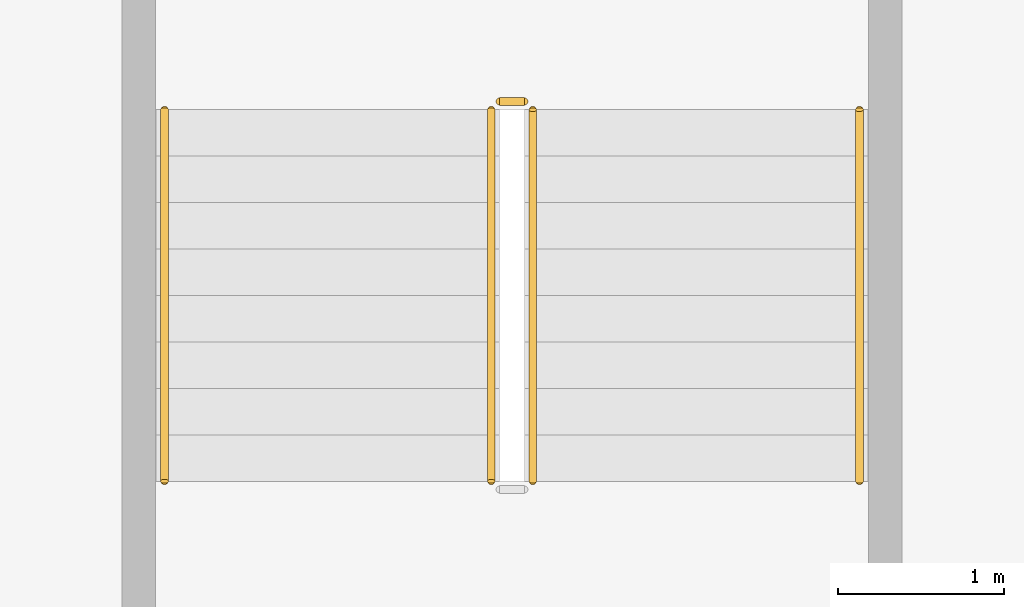
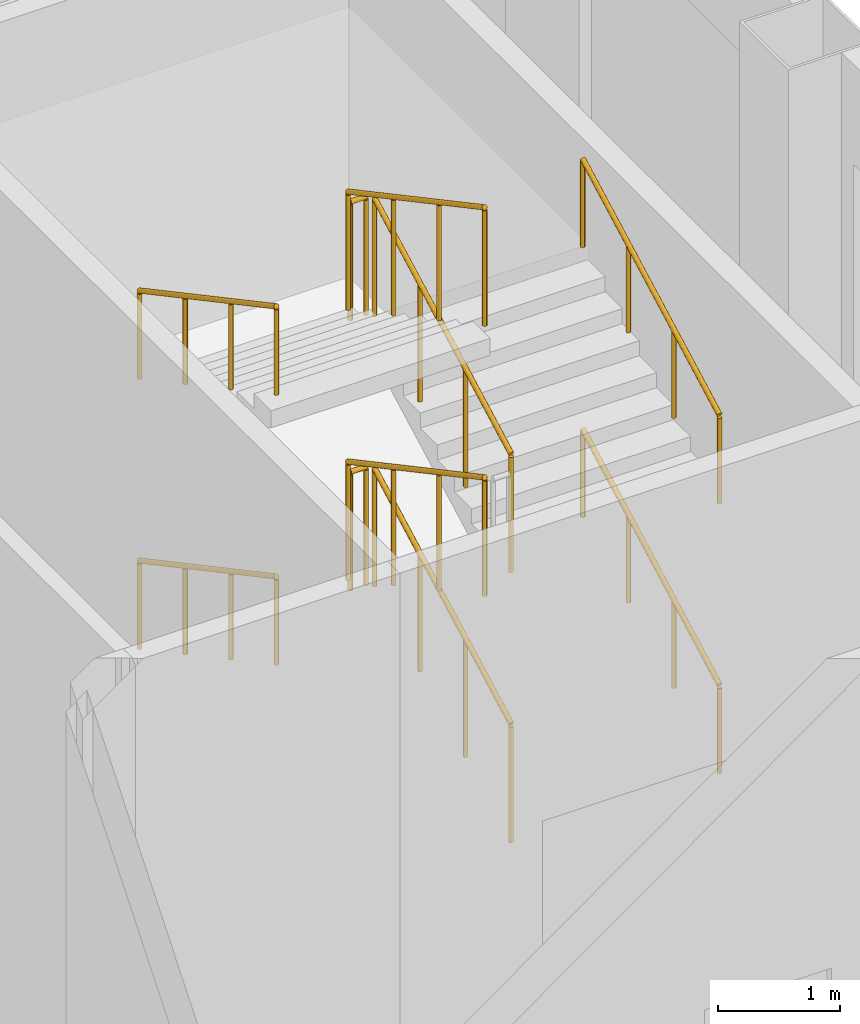
# One storey, part 27 of 27: 10 railings.
"""IFC4 building model written with IfcOpenShell, lengths in metres."""

from ifc_helpers import new_model, si_unit, direction, frame, origin, origin_2d, place, context, subcontext, project, spatial, circle, extrude, material, type_object, element, save


model = new_model("IFC4")

# Units and contexts
model_context = context("Model", 3, precision=1e-05, world=origin(), true_north=direction((0.0, 1.0)))
body_context = subcontext(model_context, "Body", "Model", "MODEL_VIEW")
ifc_project = project(units=[si_unit("LENGTHUNIT", "METRE"), si_unit("AREAUNIT", "SQUARE_METRE"), si_unit("VOLUMEUNIT", "CUBIC_METRE"), si_unit("PLANEANGLEUNIT", "RADIAN"), si_unit("MASSUNIT", "GRAM", prefix="KILO")], contexts=[model_context])

# Site, building, storey
site_placement = place(None, origin())
site = spatial("IfcSite", under=ifc_project, at=site_placement, CompositionType="ELEMENT")
building_placement = place(site_placement, origin())
building = spatial("IfcBuilding", under=site, at=building_placement, Name="Caravel Reach Hotel and Residences", CompositionType="ELEMENT")
storey_placement = place(building_placement, frame((0.0, 0.0, 6.60009765625)))
storey = spatial("IfcBuildingStorey", under=building, at=storey_placement, Name="L01", CompositionType="ELEMENT", Elevation=6.60009765625)

# Railings
ifc_material_1 = material(Name="Steel balustrade with glass infill", Category="steel")
railing_type_1 = type_object("IfcRailingType", Name="Guard 1200", PredefinedType="GUARDRAIL", material=ifc_material_1)
railing_1_placement = place(storey_placement, frame((63.375, 42.68994140625, 0.14990234375)))
element("IfcRailing", 1, at=railing_1_placement, inside=storey, type_object=railing_type_1, Name="L01 ST-P6 stair guard 1", PredefinedType="GUARDRAIL", context=body_context, shape_type="SweptSolid", body=[
    extrude(circle(Radius=0.02392578125, at=origin_2d()), frame((0.0, 0.0, 1.17578125), z_axis=(0.0, 0.881487111273, 0.472208081951), x_axis=(-1.0, 0.0, 0.0)), (0.0, 0.0, 1.0), 2.541259765625),
    extrude(circle(Radius=0.02099609375, at=origin_2d()), origin(), (0.0, 0.0, 1.0), 1.15185546875),
    extrude(circle(Radius=0.02099609375, at=origin_2d()), frame((0.0, 0.74658203125, 0.39990234375)), (0.0, 0.0, 1.0), 1.15185546875),
    extrude(circle(Radius=0.02099609375, at=origin_2d()), frame((0.0, 1.493408203125, 0.800048828125)), (0.0, 0.0, 1.0), 1.15185546875),
    extrude(circle(Radius=0.02099609375, at=origin_2d()), frame((0.0, 2.239990234375, 1.199951171875)), (0.0, 0.0, 1.0), 1.15185546875),
])
railing_2_placement = place(storey_placement, frame((63.324951171875, 44.97998046875, 1.349853515625)))
element("IfcRailing", 2, at=railing_2_placement, inside=storey, type_object=railing_type_1, Name="L01 ST-P6 stair guard 2", PredefinedType="GUARDRAIL", context=body_context, shape_type="SweptSolid", body=[
    extrude(circle(Radius=0.02392578125, at=origin_2d()), frame((0.0, 0.0, 1.17578125), z_axis=(-1.0, 0.0, 0.0), x_axis=(0.0, -1.0, 0.0)), (0.0, 0.0, 1.0), 0.14990234375),
    extrude(circle(Radius=0.02099609375, at=origin_2d()), origin(), (0.0, 0.0, 1.0), 1.15185546875),
    extrude(circle(Radius=0.02099609375, at=origin_2d()), frame((-0.14990234375, 0.0, 0.0)), (0.0, 0.0, 1.0), 1.15185546875),
])
railing_3_placement = place(storey_placement, frame((63.125, 44.929931640625, 1.5)))
element("IfcRailing", 3, at=railing_3_placement, inside=storey, type_object=railing_type_1, Name="L01 ST-P6 stair guard 3", PredefinedType="GUARDRAIL", context=body_context, shape_type="SweptSolid", body=[
    extrude(circle(Radius=0.02392578125, at=origin_2d()), frame((0.0, 0.0, 1.17578125), z_axis=(0.0, -0.881487111273, 0.472208081951), x_axis=(1.0, 0.0, 0.0)), (0.0, 0.0, 1.0), 2.541259765625),
    extrude(circle(Radius=0.02099609375, at=origin_2d()), origin(), (0.0, 0.0, 1.0), 1.15185546875),
    extrude(circle(Radius=0.02099609375, at=origin_2d()), frame((0.0, -0.74658203125, 0.39990234375)), (0.0, 0.0, 1.0), 1.15185546875),
    extrude(circle(Radius=0.02099609375, at=origin_2d()), frame((0.0, -1.493408203125, 0.800048828125)), (0.0, 0.0, 1.0), 1.15185546875),
    extrude(circle(Radius=0.02099609375, at=origin_2d()), frame((0.0, -2.239990234375, 1.199951171875)), (0.0, 0.0, 1.0), 1.15185546875),
])
railing_4_placement = place(storey_placement, frame((63.375, 42.68994140625, 2.849853515625)))
element("IfcRailing", 4, at=railing_4_placement, inside=storey, type_object=railing_type_1, Name="L01 ST-P6 stair guard 5", PredefinedType="GUARDRAIL", context=body_context, shape_type="SweptSolid", body=[
    extrude(circle(Radius=0.02392578125, at=origin_2d()), frame((0.0, 0.0, 1.17578125), z_axis=(0.0, 0.881487111273, 0.472208081951), x_axis=(-1.0, 0.0, 0.0)), (0.0, 0.0, 1.0), 2.541259765625),
    extrude(circle(Radius=0.02099609375, at=origin_2d()), origin(), (0.0, 0.0, 1.0), 1.15185546875),
    extrude(circle(Radius=0.02099609375, at=origin_2d()), frame((0.0, 0.74658203125, 0.39990234375)), (0.0, 0.0, 1.0), 1.15185546875),
    extrude(circle(Radius=0.02099609375, at=origin_2d()), frame((0.0, 1.493408203125, 0.800048828125)), (0.0, 0.0, 1.0), 1.15185546875),
    extrude(circle(Radius=0.02099609375, at=origin_2d()), frame((0.0, 2.239990234375, 1.199951171875)), (0.0, 0.0, 1.0), 1.15185546875),
])
railing_5_placement = place(storey_placement, frame((63.324951171875, 44.97998046875, 4.0498046875)))
element("IfcRailing", 5, at=railing_5_placement, inside=storey, type_object=railing_type_1, Name="L01 ST-P6 stair guard 6", PredefinedType="GUARDRAIL", context=body_context, shape_type="SweptSolid", body=[
    extrude(circle(Radius=0.02392578125, at=origin_2d()), frame((0.0, 0.0, 1.17578125), z_axis=(-1.0, 0.0, 0.0), x_axis=(0.0, -1.0, 0.0)), (0.0, 0.0, 1.0), 0.14990234375),
    extrude(circle(Radius=0.02099609375, at=origin_2d()), origin(), (0.0, 0.0, 1.0), 1.15185546875),
    extrude(circle(Radius=0.02099609375, at=origin_2d()), frame((-0.14990234375, 0.0, 0.0)), (0.0, 0.0, 1.0), 1.15185546875),
])
railing_6_placement = place(storey_placement, frame((63.125, 44.929931640625, 4.199951171875)))
element("IfcRailing", 6, at=railing_6_placement, inside=storey, type_object=railing_type_1, Name="L01 ST-P6 stair guard 7", PredefinedType="GUARDRAIL", context=body_context, shape_type="SweptSolid", body=[
    extrude(circle(Radius=0.02392578125, at=origin_2d()), frame((0.0, 0.0, 1.17578125), z_axis=(0.0, -0.881487111273, 0.472208081951), x_axis=(1.0, 0.0, 0.0)), (0.0, 0.0, 1.0), 2.541259765625),
    extrude(circle(Radius=0.02099609375, at=origin_2d()), origin(), (0.0, 0.0, 1.0), 1.15185546875),
    extrude(circle(Radius=0.02099609375, at=origin_2d()), frame((0.0, -0.74658203125, 0.39990234375)), (0.0, 0.0, 1.0), 1.15185546875),
    extrude(circle(Radius=0.02099609375, at=origin_2d()), frame((0.0, -1.493408203125, 0.800048828125)), (0.0, 0.0, 1.0), 1.15185546875),
    extrude(circle(Radius=0.02099609375, at=origin_2d()), frame((0.0, -2.239990234375, 1.199951171875)), (0.0, 0.0, 1.0), 1.15185546875),
])
ifc_material_2 = material(Name="Stainless steel handrail", Category="steel")
railing_type_2 = type_object("IfcRailingType", Name="Handrail 900", PredefinedType="HANDRAIL", material=ifc_material_2)
railing_7_placement = place(storey_placement, frame((65.344970703125, 42.68994140625, 0.14990234375)))
element("IfcRailing", 7, at=railing_7_placement, inside=storey, type_object=railing_type_2, Name="L01 ST-P6 stair handrail 1", PredefinedType="HANDRAIL", context=body_context, shape_type="SweptSolid", body=[
    extrude(circle(Radius=0.02392578125, at=origin_2d()), frame((0.0, 0.0, 0.8759765625), z_axis=(0.0, 0.881487111273, 0.472208081951), x_axis=(-1.0, 0.0, 0.0)), (0.0, 0.0, 1.0), 2.541259765625),
    extrude(circle(Radius=0.02099609375, at=origin_2d()), origin(), (0.0, 0.0, 1.0), 0.851806640625),
    extrude(circle(Radius=0.02099609375, at=origin_2d()), frame((0.0, 0.74658203125, 0.39990234375)), (0.0, 0.0, 1.0), 0.851806640625),
    extrude(circle(Radius=0.02099609375, at=origin_2d()), frame((0.0, 1.493408203125, 0.800048828125)), (0.0, 0.0, 1.0), 0.851806640625),
    extrude(circle(Radius=0.02099609375, at=origin_2d()), frame((0.0, 2.239990234375, 1.199951171875)), (0.0, 0.0, 1.0), 0.851806640625),
])
railing_8_placement = place(storey_placement, frame((61.155029296875, 44.929931640625, 1.5)))
element("IfcRailing", 8, at=railing_8_placement, inside=storey, type_object=railing_type_2, Name="L01 ST-P6 stair handrail 2", PredefinedType="HANDRAIL", context=body_context, shape_type="SweptSolid", body=[
    extrude(circle(Radius=0.02392578125, at=origin_2d()), frame((0.0, 0.0, 0.8759765625), z_axis=(0.0, -0.881487111273, 0.472208081951), x_axis=(1.0, 0.0, 0.0)), (0.0, 0.0, 1.0), 2.541259765625),
    extrude(circle(Radius=0.02099609375, at=origin_2d()), origin(), (0.0, 0.0, 1.0), 0.851806640625),
    extrude(circle(Radius=0.02099609375, at=origin_2d()), frame((0.0, -0.74658203125, 0.39990234375)), (0.0, 0.0, 1.0), 0.851806640625),
    extrude(circle(Radius=0.02099609375, at=origin_2d()), frame((0.0, -1.493408203125, 0.800048828125)), (0.0, 0.0, 1.0), 0.851806640625),
    extrude(circle(Radius=0.02099609375, at=origin_2d()), frame((0.0, -2.239990234375, 1.199951171875)), (0.0, 0.0, 1.0), 0.851806640625),
])
railing_9_placement = place(storey_placement, frame((65.344970703125, 42.68994140625, 2.849853515625)))
element("IfcRailing", 9, at=railing_9_placement, inside=storey, type_object=railing_type_2, Name="L01 ST-P6 stair handrail 3", PredefinedType="HANDRAIL", context=body_context, shape_type="SweptSolid", body=[
    extrude(circle(Radius=0.02392578125, at=origin_2d()), frame((0.0, 0.0, 0.8759765625), z_axis=(0.0, 0.881487111273, 0.472208081951), x_axis=(-1.0, 0.0, 0.0)), (0.0, 0.0, 1.0), 2.541259765625),
    extrude(circle(Radius=0.02099609375, at=origin_2d()), origin(), (0.0, 0.0, 1.0), 0.851806640625),
    extrude(circle(Radius=0.02099609375, at=origin_2d()), frame((0.0, 0.74658203125, 0.39990234375)), (0.0, 0.0, 1.0), 0.851806640625),
    extrude(circle(Radius=0.02099609375, at=origin_2d()), frame((0.0, 1.493408203125, 0.800048828125)), (0.0, 0.0, 1.0), 0.851806640625),
    extrude(circle(Radius=0.02099609375, at=origin_2d()), frame((0.0, 2.239990234375, 1.199951171875)), (0.0, 0.0, 1.0), 0.851806640625),
])
railing_10_placement = place(storey_placement, frame((61.155029296875, 44.929931640625, 4.199951171875)))
element("IfcRailing", 10, at=railing_10_placement, inside=storey, type_object=railing_type_2, Name="L01 ST-P6 stair handrail 4", PredefinedType="HANDRAIL", context=body_context, shape_type="SweptSolid", body=[
    extrude(circle(Radius=0.02392578125, at=origin_2d()), frame((0.0, 0.0, 0.8759765625), z_axis=(0.0, -0.881487111273, 0.472208081951), x_axis=(1.0, 0.0, 0.0)), (0.0, 0.0, 1.0), 2.541259765625),
    extrude(circle(Radius=0.02099609375, at=origin_2d()), origin(), (0.0, 0.0, 1.0), 0.851806640625),
    extrude(circle(Radius=0.02099609375, at=origin_2d()), frame((0.0, -0.74658203125, 0.39990234375)), (0.0, 0.0, 1.0), 0.851806640625),
    extrude(circle(Radius=0.02099609375, at=origin_2d()), frame((0.0, -1.493408203125, 0.800048828125)), (0.0, 0.0, 1.0), 0.851806640625),
    extrude(circle(Radius=0.02099609375, at=origin_2d()), frame((0.0, -2.239990234375, 1.199951171875)), (0.0, 0.0, 1.0), 0.851806640625),
])

save(model, "model.ifc")
